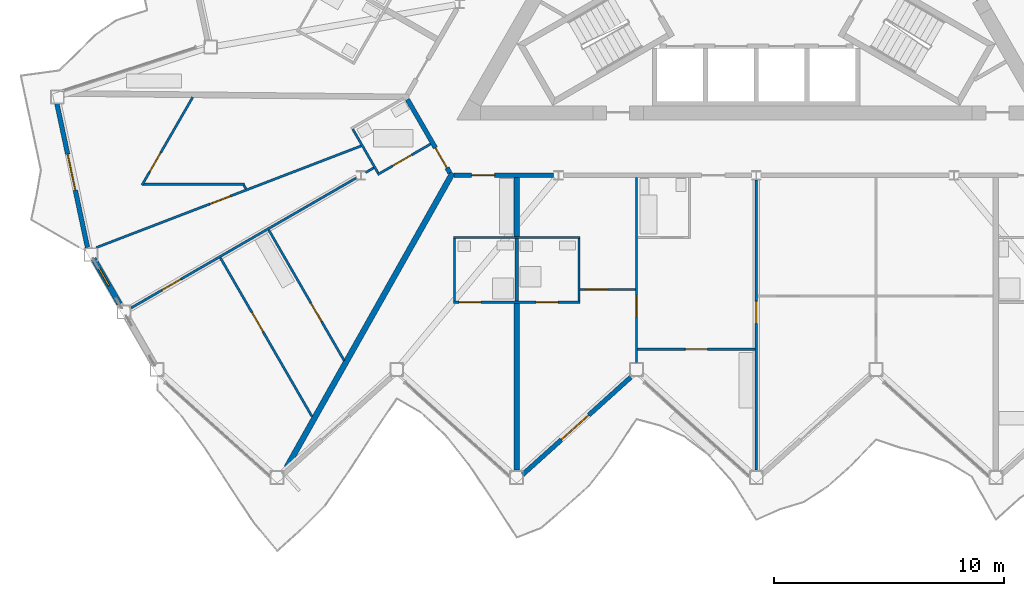
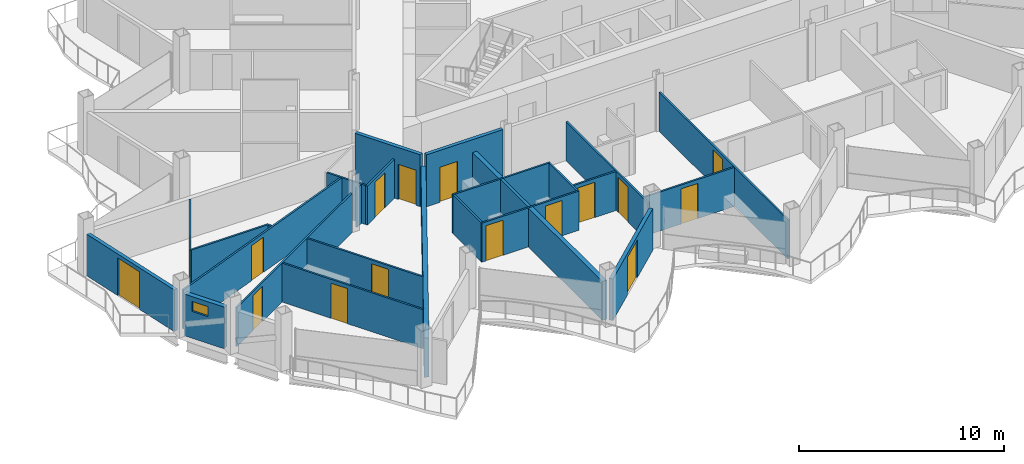
# One storey, part 13 of 27: 27 walls, 16 doors, 1 window, 17 openings.
"""IFC4 building model written with IfcOpenShell, lengths in metres."""

from ifc_helpers import new_model, si_unit, direction, frame, frame_2d, origin, place, context, subcontext, project, spatial, rectangle, extrude, material, layer, layer_set, type_object, element, fill, save


model = new_model("IFC4")

# Units and contexts
model_context = context("Model", 3, precision=1e-05, world=origin(), true_north=direction((0.0, 1.0)))
body_context = subcontext(model_context, "Body", "Model", "MODEL_VIEW")
ifc_project = project(units=[si_unit("LENGTHUNIT", "METRE"), si_unit("AREAUNIT", "SQUARE_METRE"), si_unit("VOLUMEUNIT", "CUBIC_METRE"), si_unit("PLANEANGLEUNIT", "RADIAN"), si_unit("MASSUNIT", "GRAM", prefix="KILO")], contexts=[model_context])

# Site, building, storey
site_placement = place(None, origin())
site = spatial("IfcSite", under=ifc_project, at=site_placement, CompositionType="ELEMENT")
building_placement = place(site_placement, origin())
building = spatial("IfcBuilding", under=site, at=building_placement, Name="Cormorant Prow Tower", CompositionType="ELEMENT")
storey_placement = place(building_placement, frame((0.0, 0.0, 335.800048828125)))
storey = spatial("IfcBuildingStorey", under=building, at=storey_placement, Name="L75", CompositionType="ELEMENT", Elevation=335.800048828125)

# Wall, opening, door
ifc_material_1 = material(Name="Gypsum board corridor wall")
ifc_layer_1 = layer(ifc_material_1, 0.199951171875)
ifc_layer_set_1 = layer_set([ifc_layer_1], Name="Gypsum board corridor wall")
wall_type_1 = type_object("IfcWallType", Name="Corridor wall 200", PredefinedType="PARTITIONING", material=ifc_layer_set_1)
wall_1_placement = place(storey_placement, frame((-13.10595703125, -9.905517578125, 0.0), z_axis=(0.0, 0.0, 1.0), x_axis=(1.0, 0.0, 0.0)))
wall_1 = element("IfcWall", 1, at=wall_1_placement, inside=storey, type_object=wall_type_1, Name="Corridor wall", PredefinedType="PARTITIONING", context=body_context, shape_type="SweptSolid", body=[
    extrude(rectangle(XDim=4.31982421875, YDim=0.199951171875, at=frame_2d((2.159912109375, 0.0))), origin(), (0.0, 0.0, 1.0), 3.099853515625),
])
opening_1_placement = place(wall_1_placement, frame((0.75341796875, 0.0, 0.0)))
opening_1 = element("IfcOpeningElement", 2, at=opening_1_placement, cuts=wall_1, Name="Opening L75-F01", PredefinedType="OPENING", context=body_context, shape_type="SweptSolid", body=[
    extrude(rectangle(XDim=1.0, YDim=2.10009765625, at=frame_2d((0.5, 1.050048828125))), frame((0.0, 0.10986328125, 0.0), z_axis=(0.0, -1.0, 0.0), x_axis=(1.0, 0.0, 0.0)), (0.0, 0.0, 1.0), 0.219970703125),
])
ifc_material_2 = material(Name="Timber door leaf", Category="wood")
door_type_1 = type_object("IfcDoorType", Name="Flat or room entrance door 1000x2100", OperationType="NOTDEFINED", PredefinedType="DOOR", material=ifc_material_2)
door_1_placement = place(opening_1_placement, origin())
door_1 = element("IfcDoor", 3, at=door_1_placement, inside=storey, type_object=door_type_1, Name="Studio living, kitchen and sleeping room door", OperationType="SINGLE_SWING_LEFT", OverallHeight=2.10009765625, OverallWidth=1.0, PredefinedType="DOOR", context=body_context, shape_type="SweptSolid", body=[
    extrude(rectangle(XDim=1.0, YDim=2.10009765625, at=frame_2d((0.5, 1.050048828125))), frame((0.0, 0.02490234375, 0.0), z_axis=(0.0, -1.0, 0.0), x_axis=(1.0, 0.0, 0.0)), (0.0, 0.0, 1.0), 0.050048828125),
])
fill(opening_1, door_1)

wall_2_placement = place(storey_placement, frame((-15.13134765625, -6.61376953125, 0.0), z_axis=(0.0, 0.0, 1.0), x_axis=(0.499967746641, -0.866044024469, 0.0)))
wall_2 = element("IfcWall", 4, at=wall_2_placement, inside=storey, type_object=wall_type_1, Name="Corridor wall", PredefinedType="PARTITIONING", context=body_context, shape_type="SweptSolid", body=[
    extrude(rectangle(XDim=3.676025390625, YDim=0.199951171875, at=frame_2d((1.837890625, 0.0))), origin(), (0.0, 0.0, 1.0), 3.099853515625),
])
opening_2_placement = place(wall_2_placement, frame((2.426025390625, 0.0, 0.0)))
opening_2 = element("IfcOpeningElement", 5, at=opening_2_placement, cuts=wall_2, Name="Opening L75-F58", PredefinedType="OPENING", context=body_context, shape_type="SweptSolid", body=[
    extrude(rectangle(XDim=1.0, YDim=2.10009765625, at=frame_2d((0.5, 1.050048828125))), frame((0.0, 0.10986328125, 0.0), z_axis=(0.0, -1.0, 0.0), x_axis=(1.0, 0.0, 0.0)), (0.0, 0.0, 1.0), 0.219970703125),
])
door_2_placement = place(opening_2_placement, origin())
door_2 = element("IfcDoor", 6, at=door_2_placement, inside=storey, type_object=door_type_1, Name="Living room door", OperationType="SINGLE_SWING_RIGHT", OverallHeight=2.10009765625, OverallWidth=1.0, PredefinedType="DOOR", context=body_context, shape_type="SweptSolid", body=[
    extrude(rectangle(XDim=1.0, YDim=2.10009765625, at=frame_2d((0.5, 1.050048828125))), frame((0.0, 0.02490234375, 0.0), z_axis=(0.0, -1.0, 0.0), x_axis=(1.0, 0.0, 0.0)), (0.0, 0.0, 1.0), 0.050048828125),
])
fill(opening_2, door_2)

ifc_material_3 = material(Name="Gypsum board partition")
ifc_layer_2 = layer(ifc_material_3, 0.10009765625)
ifc_layer_set_2 = layer_set([ifc_layer_2], Name="Gypsum board partition")
wall_type_2 = type_object("IfcWallType", Name="Internal partition 100", PredefinedType="PARTITIONING", material=ifc_layer_set_2)
wall_3_placement = place(storey_placement, frame((0.0, -22.697998046875, 0.0), z_axis=(0.0, 0.0, 1.0), x_axis=(0.0, 1.0, 0.0)))
wall_3 = element("IfcWall", 7, at=wall_3_placement, inside=storey, type_object=wall_type_2, Name="Internal partition", PredefinedType="PARTITIONING", context=body_context, shape_type="SweptSolid", body=[
    extrude(rectangle(XDim=12.584716796875, YDim=0.10009765625, at=frame_2d((6.29248046875, 0.0))), origin(), (0.0, 0.0, 1.0), 2.330078125),
])
opening_3_placement = place(wall_3_placement, frame((6.369140625, 0.0, 0.0)))
opening_3 = element("IfcOpeningElement", 8, at=opening_3_placement, cuts=wall_3, Name="Opening L75-F08", PredefinedType="OPENING", context=body_context, shape_type="SweptSolid", body=[
    extrude(rectangle(XDim=0.949951171875, YDim=2.10009765625, at=frame_2d((0.47509765625, 1.050048828125))), frame((0.0, 0.06005859375, 0.0), z_axis=(0.0, -1.0, 0.0), x_axis=(1.0, 0.0, 0.0)), (0.0, 0.0, 1.0), 0.1201171875),
])
ifc_material_4 = material(Name="Timber door leaf", Category="wood")
door_type_2 = type_object("IfcDoorType", Name="Bathroom door 950x2100", OperationType="NOTDEFINED", PredefinedType="DOOR", material=ifc_material_4)
door_3_placement = place(opening_3_placement, origin())
door_3 = element("IfcDoor", 9, at=door_3_placement, inside=storey, type_object=door_type_2, Name="Living room door", OperationType="SINGLE_SWING_RIGHT", OverallHeight=2.10009765625, OverallWidth=0.949951171875, PredefinedType="DOOR", context=body_context, shape_type="SweptSolid", body=[
    extrude(rectangle(XDim=0.949951171875, YDim=2.10009765625, at=frame_2d((0.47509765625, 1.050048828125))), frame((0.0, 0.02490234375, 0.0), z_axis=(0.0, -1.0, 0.0), x_axis=(1.0, 0.0, 0.0)), (0.0, 0.0, 1.0), 0.050048828125),
])
fill(opening_3, door_3)

wall_4_placement = place(storey_placement, frame((-28.630615234375, -13.039306640625, 0.0), z_axis=(0.0, 0.0, 1.0), x_axis=(0.933581130309, 0.358366116048, 0.0)))
wall_4 = element("IfcWall", 10, at=wall_4_placement, inside=storey, type_object=wall_type_2, Name="Internal partition", PredefinedType="PARTITIONING", context=body_context, shape_type="SweptSolid", body=[
    extrude(rectangle(XDim=12.3056640625, YDim=0.10009765625, at=frame_2d((6.15283203125, 0.0))), origin(), (0.0, 0.0, 1.0), 2.330078125),
])
opening_4_placement = place(wall_4_placement, frame((5.275634765625, 0.0, 0.0)))
opening_4 = element("IfcOpeningElement", 11, at=opening_4_placement, cuts=wall_4, Name="Opening L75-F63", PredefinedType="OPENING", context=body_context, shape_type="SweptSolid", body=[
    extrude(rectangle(XDim=0.949951171875, YDim=2.10009765625, at=frame_2d((0.47509765625, 1.050048828125))), frame((0.0, 0.06005859375, 0.0), z_axis=(0.0, -1.0, 0.0), x_axis=(1.0, 0.0, 0.0)), (0.0, 0.0, 1.0), 0.1201171875),
])
door_4_placement = place(opening_4_placement, origin())
door_4 = element("IfcDoor", 12, at=door_4_placement, inside=storey, type_object=door_type_2, Name="Bedroom door", OperationType="SINGLE_SWING_RIGHT", OverallHeight=2.10009765625, OverallWidth=0.949951171875, PredefinedType="DOOR", context=body_context, shape_type="SweptSolid", body=[
    extrude(rectangle(XDim=0.949951171875, YDim=2.10009765625, at=frame_2d((0.47509765625, 1.050048828125))), frame((0.0, 0.02490234375, 0.0), z_axis=(0.0, -1.0, 0.0), x_axis=(1.0, 0.0, 0.0)), (0.0, 0.0, 1.0), 0.050048828125),
])
fill(opening_4, door_4)

wall_5_placement = place(storey_placement, frame((-27.122314453125, -15.6591796875, 0.0), z_axis=(0.0, 0.0, 1.0), x_axis=(0.866021046153, 0.500007547564, 0.0)))
wall_5 = element("IfcWall", 13, at=wall_5_placement, inside=storey, type_object=wall_type_2, Name="Internal partition", PredefinedType="PARTITIONING", context=body_context, shape_type="SweptSolid", body=[
    extrude(rectangle(XDim=11.267333984375, YDim=0.10009765625, at=frame_2d((5.6337890625, 0.0))), origin(), (0.0, 0.0, 1.0), 2.330078125),
])
opening_5_placement = place(wall_5_placement, frame((1.55224609375, 0.0, 0.0)))
opening_5 = element("IfcOpeningElement", 14, at=opening_5_placement, cuts=wall_5, Name="Opening L75-F62", PredefinedType="OPENING", context=body_context, shape_type="SweptSolid", body=[
    extrude(rectangle(XDim=0.949951171875, YDim=2.10009765625, at=frame_2d((0.47509765625, 1.050048828125))), frame((0.0, 0.06005859375, 0.0), z_axis=(0.0, -1.0, 0.0), x_axis=(1.0, 0.0, 0.0)), (0.0, 0.0, 1.0), 0.1201171875),
])
door_5_placement = place(opening_5_placement, origin())
door_5 = element("IfcDoor", 15, at=door_5_placement, inside=storey, type_object=door_type_2, Name="Dining room door", OperationType="SINGLE_SWING_LEFT", OverallHeight=2.10009765625, OverallWidth=0.949951171875, PredefinedType="DOOR", context=body_context, shape_type="SweptSolid", body=[
    extrude(rectangle(XDim=0.949951171875, YDim=2.10009765625, at=frame_2d((0.47509765625, 1.050048828125))), frame((0.0, 0.02490234375, 0.0), z_axis=(0.0, -1.0, 0.0), x_axis=(1.0, 0.0, 0.0)), (0.0, 0.0, 1.0), 0.050048828125),
])
fill(opening_5, door_5)

wall_6_placement = place(storey_placement, frame((-5.1962890625, -18.016845703125, 0.0), z_axis=(0.0, 0.0, 1.0), x_axis=(0.0, 1.0, 0.0)))
wall_6 = element("IfcWall", 16, at=wall_6_placement, inside=storey, type_object=wall_type_2, Name="Internal partition", PredefinedType="PARTITIONING", context=body_context, shape_type="SweptSolid", body=[
    extrude(rectangle(XDim=8.01123046875, YDim=0.10009765625, at=frame_2d((4.005615234375, 0.0))), origin(), (0.0, 0.0, 1.0), 2.330078125),
])
opening_6_placement = place(wall_6_placement, frame((1.966064453125, 0.0, 0.0)))
opening_6 = element("IfcOpeningElement", 17, at=opening_6_placement, cuts=wall_6, Name="Opening L75-F06", PredefinedType="OPENING", context=body_context, shape_type="SweptSolid", body=[
    extrude(rectangle(XDim=0.949951171875, YDim=2.10009765625, at=frame_2d((0.47509765625, 1.050048828125))), frame((0.0, 0.06005859375, 0.0), z_axis=(0.0, -1.0, 0.0), x_axis=(1.0, 0.0, 0.0)), (0.0, 0.0, 1.0), 0.1201171875),
])
door_6_placement = place(opening_6_placement, origin())
door_6 = element("IfcDoor", 18, at=door_6_placement, inside=storey, type_object=door_type_2, Name="Living room door", OperationType="SINGLE_SWING_RIGHT", OverallHeight=2.10009765625, OverallWidth=0.949951171875, PredefinedType="DOOR", context=body_context, shape_type="SweptSolid", body=[
    extrude(rectangle(XDim=0.949951171875, YDim=2.10009765625, at=frame_2d((0.47509765625, 1.050048828125))), frame((0.0, 0.02490234375, 0.0), z_axis=(0.0, -1.0, 0.0), x_axis=(1.0, 0.0, 0.0)), (0.0, 0.0, 1.0), 0.050048828125),
])
fill(opening_6, door_6)

wall_7_placement = place(storey_placement, frame((-23.2509765625, -13.481689453125, 0.0), z_axis=(0.0, 0.0, 1.0), x_axis=(0.500017325895, -0.866015400443, 0.0)))
wall_7 = element("IfcWall", 19, at=wall_7_placement, inside=storey, type_object=wall_type_2, Name="Internal partition", PredefinedType="PARTITIONING", context=body_context, shape_type="SweptSolid", body=[
    extrude(rectangle(XDim=7.955322265625, YDim=0.10009765625, at=frame_2d((3.9775390625, 0.0))), origin(), (0.0, 0.0, 1.0), 2.330078125),
])
opening_7_placement = place(wall_7_placement, frame((2.751953125, 0.0, 0.0)))
opening_7 = element("IfcOpeningElement", 20, at=opening_7_placement, cuts=wall_7, Name="Opening L75-F61", PredefinedType="OPENING", context=body_context, shape_type="SweptSolid", body=[
    extrude(rectangle(XDim=0.949951171875, YDim=2.10009765625, at=frame_2d((0.47509765625, 1.050048828125))), frame((0.0, 0.06005859375, 0.0), z_axis=(0.0, -1.0, 0.0), x_axis=(1.0, 0.0, 0.0)), (0.0, 0.0, 1.0), 0.1201171875),
])
door_7_placement = place(opening_7_placement, origin())
door_7 = element("IfcDoor", 21, at=door_7_placement, inside=storey, type_object=door_type_2, Name="Kitchen door", OperationType="SINGLE_SWING_LEFT", OverallHeight=2.10009765625, OverallWidth=0.949951171875, PredefinedType="DOOR", context=body_context, shape_type="SweptSolid", body=[
    extrude(rectangle(XDim=0.949951171875, YDim=2.10009765625, at=frame_2d((0.47509765625, 1.050048828125))), frame((0.0, 0.02490234375, 0.0), z_axis=(0.0, -1.0, 0.0), x_axis=(1.0, 0.0, 0.0)), (0.0, 0.0, 1.0), 0.050048828125),
])
fill(opening_7, door_7)

wall_8_placement = place(storey_placement, frame((-21.153564453125, -12.270751953125, 0.0), z_axis=(0.0, 0.0, 1.0), x_axis=(0.500011451804, -0.866018791981, 0.0)))
wall_8 = element("IfcWall", 22, at=wall_8_placement, inside=storey, type_object=wall_type_2, Name="Internal partition", PredefinedType="PARTITIONING", context=body_context, shape_type="SweptSolid", body=[
    extrude(rectangle(XDim=6.556884765625, YDim=0.10009765625, at=frame_2d((3.2783203125, 0.0))), origin(), (0.0, 0.0, 1.0), 2.330078125),
])
opening_8_placement = place(wall_8_placement, frame((3.65478515625, 0.0, 0.0)))
opening_8 = element("IfcOpeningElement", 23, at=opening_8_placement, cuts=wall_8, Name="Opening L75-F60", PredefinedType="OPENING", context=body_context, shape_type="SweptSolid", body=[
    extrude(rectangle(XDim=0.949951171875, YDim=2.10009765625, at=frame_2d((0.47509765625, 1.050048828125))), frame((0.0, 0.06005859375, 0.0), z_axis=(0.0, -1.0, 0.0), x_axis=(1.0, 0.0, 0.0)), (0.0, 0.0, 1.0), 0.1201171875),
])
door_8_placement = place(opening_8_placement, origin())
door_8 = element("IfcDoor", 24, at=door_8_placement, inside=storey, type_object=door_type_2, Name="Living room door", OperationType="SINGLE_SWING_LEFT", OverallHeight=2.10009765625, OverallWidth=0.949951171875, PredefinedType="DOOR", context=body_context, shape_type="SweptSolid", body=[
    extrude(rectangle(XDim=0.949951171875, YDim=2.10009765625, at=frame_2d((0.47509765625, 1.050048828125))), frame((0.0, 0.02490234375, 0.0), z_axis=(0.0, -1.0, 0.0), x_axis=(1.0, 0.0, 0.0)), (0.0, 0.0, 1.0), 0.050048828125),
])
fill(opening_8, door_8)

# Wall
wall_9_placement = place(storey_placement, frame((-13.142578125, -12.605712890625, 0.0), z_axis=(0.0, 0.0, 1.0), x_axis=(1.0, 0.0, 0.0)))
element("IfcWall", 25, at=wall_9_placement, inside=storey, type_object=wall_type_2, Name="Internal partition", PredefinedType="PARTITIONING", context=body_context, shape_type="SweptSolid", body=[
    extrude(rectangle(XDim=5.5, YDim=0.10009765625, at=frame_2d((2.75, 0.0))), origin(), (0.0, 0.0, 1.0), 2.330078125),
])

# Wall, openings, doors
wall_10_placement = place(storey_placement, frame((-13.142578125, -15.405517578125, 0.0), z_axis=(0.0, 0.0, 1.0), x_axis=(1.0, 0.0, 0.0)))
wall_10 = element("IfcWall", 26, at=wall_10_placement, inside=storey, type_object=wall_type_2, Name="Internal partition", PredefinedType="PARTITIONING", context=body_context, shape_type="SweptSolid", body=[
    extrude(rectangle(XDim=5.5, YDim=0.10009765625, at=frame_2d((2.75, 0.0))), origin(), (0.0, 0.0, 1.0), 2.330078125),
])
opening_9_placement = place(wall_10_placement, frame((0.25, 0.0, 0.0)))
opening_9 = element("IfcOpeningElement", 27, at=opening_9_placement, cuts=wall_10, Name="Opening L75-F02", PredefinedType="OPENING", context=body_context, shape_type="SweptSolid", body=[
    extrude(rectangle(XDim=0.949951171875, YDim=2.10009765625, at=frame_2d((0.47509765625, 1.050048828125))), frame((0.0, 0.06005859375, 0.0), z_axis=(0.0, -1.0, 0.0), x_axis=(1.0, 0.0, 0.0)), (0.0, 0.0, 1.0), 0.1201171875),
])
opening_10_placement = place(wall_10_placement, frame((3.59130859375, 0.0, 0.0)))
opening_10 = element("IfcOpeningElement", 28, at=opening_10_placement, cuts=wall_10, Name="Opening L75-F12", PredefinedType="OPENING", context=body_context, shape_type="SweptSolid", body=[
    extrude(rectangle(XDim=0.949951171875, YDim=2.10009765625, at=frame_2d((0.47509765625, 1.050048828125))), frame((0.0, 0.06005859375, 0.0), z_axis=(0.0, -1.0, 0.0), x_axis=(1.0, 0.0, 0.0)), (0.0, 0.0, 1.0), 0.1201171875),
])
door_9_placement = place(opening_9_placement, origin())
door_9 = element("IfcDoor", 29, at=door_9_placement, inside=storey, type_object=door_type_2, Name="Studio living, kitchen and sleeping room door", OperationType="SINGLE_SWING_LEFT", OverallHeight=2.10009765625, OverallWidth=0.949951171875, PredefinedType="DOOR", context=body_context, shape_type="SweptSolid", body=[
    extrude(rectangle(XDim=0.949951171875, YDim=2.10009765625, at=frame_2d((0.47509765625, 1.050048828125))), frame((0.0, 0.02490234375, 0.0), z_axis=(0.0, -1.0, 0.0), x_axis=(1.0, 0.0, 0.0)), (0.0, 0.0, 1.0), 0.050048828125),
])
fill(opening_9, door_9)
door_10_placement = place(opening_10_placement, origin())
door_10 = element("IfcDoor", 30, at=door_10_placement, inside=storey, type_object=door_type_2, Name="Bedroom door", OperationType="SINGLE_SWING_LEFT", OverallHeight=2.10009765625, OverallWidth=0.949951171875, PredefinedType="DOOR", context=body_context, shape_type="SweptSolid", body=[
    extrude(rectangle(XDim=0.949951171875, YDim=2.10009765625, at=frame_2d((0.47509765625, 1.050048828125))), frame((0.0, 0.02490234375, 0.0), z_axis=(0.0, -1.0, 0.0), x_axis=(1.0, 0.0, 0.0)), (0.0, 0.0, 1.0), 0.050048828125),
])
fill(opening_10, door_10)

# Wall, opening, door
wall_11_placement = place(storey_placement, frame((-5.146240234375, -17.453125, 0.0), z_axis=(0.0, 0.0, 1.0), x_axis=(1.0, 0.0, 0.0)))
wall_11 = element("IfcWall", 31, at=wall_11_placement, inside=storey, type_object=wall_type_2, Name="Internal partition", PredefinedType="PARTITIONING", context=body_context, shape_type="SweptSolid", body=[
    extrude(rectangle(XDim=5.09619140625, YDim=0.10009765625, at=frame_2d((2.548095703125, 0.0))), origin(), (0.0, 0.0, 1.0), 2.330078125),
])
opening_11_placement = place(wall_11_placement, frame((2.0732421875, 0.0, 0.0)))
opening_11 = element("IfcOpeningElement", 32, at=opening_11_placement, cuts=wall_11, Name="Opening L75-F05", PredefinedType="OPENING", context=body_context, shape_type="SweptSolid", body=[
    extrude(rectangle(XDim=0.949951171875, YDim=2.10009765625, at=frame_2d((0.47509765625, 1.050048828125))), frame((0.0, 0.06005859375, 0.0), z_axis=(0.0, -1.0, 0.0), x_axis=(1.0, 0.0, 0.0)), (0.0, 0.0, 1.0), 0.1201171875),
])
door_11_placement = place(opening_11_placement, origin())
door_11 = element("IfcDoor", 33, at=door_11_placement, inside=storey, type_object=door_type_2, Name="Living room door", OperationType="SINGLE_SWING_LEFT", OverallHeight=2.10009765625, OverallWidth=0.949951171875, PredefinedType="DOOR", context=body_context, shape_type="SweptSolid", body=[
    extrude(rectangle(XDim=0.949951171875, YDim=2.10009765625, at=frame_2d((0.47509765625, 1.050048828125))), frame((0.0, 0.02490234375, 0.0), z_axis=(0.0, -1.0, 0.0), x_axis=(1.0, 0.0, 0.0)), (0.0, 0.0, 1.0), 0.050048828125),
])
fill(opening_11, door_11)

wall_12_placement = place(storey_placement, frame((-26.650146484375, -10.330810546875, 0.0), z_axis=(0.0, 0.0, 1.0), x_axis=(0.499992938033, 0.866029480975, 0.0)))
wall_12 = element("IfcWall", 34, at=wall_12_placement, inside=storey, type_object=wall_type_2, Name="Internal partition", PredefinedType="PARTITIONING", context=body_context, shape_type="SweptSolid", body=[
    extrude(rectangle(XDim=4.4013671875, YDim=0.10009765625, at=frame_2d((2.20068359375, 0.0))), origin(), (0.0, 0.0, 1.0), 2.330078125),
])
opening_12_placement = place(wall_12_placement, frame((0.656982421875, 0.0, 0.0)))
opening_12 = element("IfcOpeningElement", 35, at=opening_12_placement, cuts=wall_12, Name="Opening L75-F64", PredefinedType="OPENING", context=body_context, shape_type="SweptSolid", body=[
    extrude(rectangle(XDim=0.949951171875, YDim=2.10009765625, at=frame_2d((0.47509765625, 1.050048828125))), frame((0.0, 0.06005859375, 0.0), z_axis=(0.0, -1.0, 0.0), x_axis=(1.0, 0.0, 0.0)), (0.0, 0.0, 1.0), 0.1201171875),
])
door_12_placement = place(opening_12_placement, origin())
door_12 = element("IfcDoor", 36, at=door_12_placement, inside=storey, type_object=door_type_2, Name="Bedroom door", OperationType="SINGLE_SWING_LEFT", OverallHeight=2.10009765625, OverallWidth=0.949951171875, PredefinedType="DOOR", context=body_context, shape_type="SweptSolid", body=[
    extrude(rectangle(XDim=0.949951171875, YDim=2.10009765625, at=frame_2d((0.47509765625, 1.050048828125))), frame((0.0, 0.02490234375, 0.0), z_axis=(0.0, -1.0, 0.0), x_axis=(1.0, 0.0, 0.0)), (0.0, 0.0, 1.0), 0.050048828125),
])
fill(opening_12, door_12)

# Walls
wall_13_placement = place(storey_placement, frame((-26.5751953125, -10.287353515625, 0.0), z_axis=(0.0, 0.0, 1.0), x_axis=(1.0, 0.0, 0.0)))
element("IfcWall", 37, at=wall_13_placement, inside=storey, type_object=wall_type_2, Name="Internal partition", PredefinedType="PARTITIONING", context=body_context, shape_type="SweptSolid", body=[
    extrude(rectangle(XDim=4.366943359375, YDim=0.10009765625, at=frame_2d((2.18359375, 0.0))), origin(), (0.0, 0.0, 1.0), 2.330078125),
])
for number, where, z_axis, x_axis, name in (
    (38, (-13.092529296875, -15.355712890625, 0.0), (0.0, 0.0, 1.0), (0.0, 1.0, 0.0), "Internal partition"),
    (39, (-7.6923828125, -15.355712890625, 0.0), (0.0, 0.0, 1.0), (0.0, 1.0, 0.0), "Internal partition"),
):
    element("IfcWall", number, at=place(storey_placement, frame(where, z_axis=z_axis, x_axis=x_axis)), inside=storey, type_object=wall_type_2, Name=name, PredefinedType="PARTITIONING", context=body_context, shape_type="SweptSolid", body=[
        extrude(rectangle(XDim=2.7001953125, YDim=0.10009765625, at=frame_2d((1.35009765625, 0.0))), origin(), (0.0, 0.0, 1.0), 2.330078125),
    ])

# Wall, opening, door
wall_14_placement = place(storey_placement, frame((-16.425537109375, -9.872314453125, 0.0), z_axis=(0.0, 0.0, 1.0), x_axis=(0.866029095148, 0.499993606316, 0.0)))
wall_14 = element("IfcWall", 40, at=wall_14_placement, inside=storey, type_object=wall_type_2, Name="Internal partition", PredefinedType="PARTITIONING", context=body_context, shape_type="SweptSolid", body=[
    extrude(rectangle(XDim=2.64990234375, YDim=0.10009765625, at=frame_2d((1.324951171875, 0.0))), origin(), (0.0, 0.0, 1.0), 2.330078125),
])
opening_13_placement = place(wall_14_placement, frame((0.75, 0.0, 0.0)))
opening_13 = element("IfcOpeningElement", 41, at=opening_13_placement, cuts=wall_14, Name="Opening L75-F59", PredefinedType="OPENING", context=body_context, shape_type="SweptSolid", body=[
    extrude(rectangle(XDim=0.949951171875, YDim=2.10009765625, at=frame_2d((0.47509765625, 1.050048828125))), frame((0.0, 0.06005859375, 0.0), z_axis=(0.0, -1.0, 0.0), x_axis=(1.0, 0.0, 0.0)), (0.0, 0.0, 1.0), 0.1201171875),
])
door_13_placement = place(opening_13_placement, origin())
door_13 = element("IfcDoor", 42, at=door_13_placement, inside=storey, type_object=door_type_2, Name="Living room door", OperationType="SINGLE_SWING_LEFT", OverallHeight=2.10009765625, OverallWidth=0.949951171875, PredefinedType="DOOR", context=body_context, shape_type="SweptSolid", body=[
    extrude(rectangle(XDim=0.949951171875, YDim=2.10009765625, at=frame_2d((0.47509765625, 1.050048828125))), frame((0.0, 0.02490234375, 0.0), z_axis=(0.0, -1.0, 0.0), x_axis=(1.0, 0.0, 0.0)), (0.0, 0.0, 1.0), 0.050048828125),
])
fill(opening_13, door_13)

wall_15_placement = place(storey_placement, frame((-7.642578125, -14.860595703125, 0.0), z_axis=(0.0, 0.0, 1.0), x_axis=(1.0, 0.0, 0.0)))
wall_15 = element("IfcWall", 43, at=wall_15_placement, inside=storey, type_object=wall_type_2, Name="Internal partition", PredefinedType="PARTITIONING", context=body_context, shape_type="SweptSolid", body=[
    extrude(rectangle(XDim=2.396240234375, YDim=0.10009765625, at=frame_2d((1.1982421875, 0.0))), origin(), (0.0, 0.0, 1.0), 2.330078125),
])
opening_14_placement = place(wall_15_placement, frame((0.25, 0.0, 0.0)))
opening_14 = element("IfcOpeningElement", 44, at=opening_14_placement, cuts=wall_15, Name="Opening L75-F07", PredefinedType="OPENING", context=body_context, shape_type="SweptSolid", body=[
    extrude(rectangle(XDim=0.949951171875, YDim=2.10009765625, at=frame_2d((0.47509765625, 1.050048828125))), frame((0.0, 0.06005859375, 0.0), z_axis=(0.0, -1.0, 0.0), x_axis=(1.0, 0.0, 0.0)), (0.0, 0.0, 1.0), 0.1201171875),
])
door_14_placement = place(opening_14_placement, origin())
door_14 = element("IfcDoor", 45, at=door_14_placement, inside=storey, type_object=door_type_2, Name="Bedroom door", OperationType="SINGLE_SWING_LEFT", OverallHeight=2.10009765625, OverallWidth=0.949951171875, PredefinedType="DOOR", context=body_context, shape_type="SweptSolid", body=[
    extrude(rectangle(XDim=0.949951171875, YDim=2.10009765625, at=frame_2d((0.47509765625, 1.050048828125))), frame((0.0, 0.02490234375, 0.0), z_axis=(0.0, -1.0, 0.0), x_axis=(1.0, 0.0, 0.0)), (0.0, 0.0, 1.0), 0.050048828125),
])
fill(opening_14, door_14)

# Walls
wall_16_placement = place(storey_placement, frame((-17.507080078125, -7.898681640625, 0.0), z_axis=(0.0, 0.0, 1.0), x_axis=(0.499946605688, -0.86605622881, 0.0)))
element("IfcWall", 46, at=wall_16_placement, inside=storey, type_object=wall_type_2, Name="Internal partition", PredefinedType="PARTITIONING", context=body_context, shape_type="SweptSolid", body=[
    extrude(rectangle(XDim=2.199951171875, YDim=0.10009765625, at=frame_2d((1.10009765625, 0.0))), origin(), (0.0, 0.0, 1.0), 2.330078125),
])
wall_17_placement = place(storey_placement, frame((-16.94921875, -9.78564453125, 0.0), z_axis=(0.0, 0.0, 1.0), x_axis=(0.866036909293, 0.499980071345, 0.0)))
element("IfcWall", 47, at=wall_17_placement, inside=storey, type_object=wall_type_2, Name="Internal partition", PredefinedType="PARTITIONING", context=body_context, shape_type="SweptSolid", body=[
    extrude(rectangle(XDim=0.41015625, YDim=0.10009765625, at=frame_2d((0.205078125, 0.0))), origin(), (0.0, 0.0, 1.0), 2.330078125),
])
wall_18_placement = place(storey_placement, frame((-22.233154296875, -10.330810546875, 0.0), z_axis=(0.0, 0.0, 1.0), x_axis=(0.500169931485, -0.865927271564, 0.0)))
element("IfcWall", 48, at=wall_18_placement, inside=storey, type_object=wall_type_2, Name="Internal partition", PredefinedType="PARTITIONING", context=body_context, shape_type="SweptSolid", body=[
    extrude(rectangle(XDim=0.18896484375, YDim=0.10009765625, at=frame_2d((0.094482421875, 0.0))), origin(), (0.0, 0.0, 1.0), 2.330078125),
])
ifc_material_5 = material(Name="Acoustic gypsum party wall")
ifc_layer_3 = layer(ifc_material_5, 0.25)
ifc_layer_set_3 = layer_set([ifc_layer_3], Name="Acoustic gypsum party wall")
wall_type_3 = type_object("IfcWallType", Name="Suite party wall 250", PredefinedType="PARTITIONING", material=ifc_layer_set_3)
wall_19_placement = place(storey_placement, frame((-20.37646484375, -22.581787109375, 0.0), z_axis=(0.0, 0.0, 1.0), x_axis=(0.491057132664, 0.871127368678, 0.0)))
element("IfcWall", 49, at=wall_19_placement, inside=storey, type_object=wall_type_3, Name="Suite party wall", PredefinedType="PARTITIONING", context=body_context, shape_type="SweptSolid", body=[
    extrude(rectangle(XDim=14.676513671875, YDim=0.25, at=frame_2d((7.33837890625, 0.0))), origin(), (0.0, 0.0, 1.0), 2.330078125),
])
wall_20_placement = place(storey_placement, frame((-10.392578125, -22.697998046875, 0.0), z_axis=(0.0, 0.0, 1.0), x_axis=(0.0, 1.0, 0.0)))
element("IfcWall", 50, at=wall_20_placement, inside=storey, type_object=wall_type_3, Name="Suite party wall", PredefinedType="PARTITIONING", context=body_context, shape_type="SweptSolid", body=[
    extrude(rectangle(XDim=7.242431640625, YDim=0.25, at=frame_2d((3.62109375, 0.0))), origin(), (0.0, 0.0, 1.0), 2.330078125),
])
wall_21_placement = place(storey_placement, frame((-10.392578125, -12.5556640625, 0.0), z_axis=(0.0, 0.0, 1.0), x_axis=(0.0, 1.0, 0.0)))
element("IfcWall", 51, at=wall_21_placement, inside=storey, type_object=wall_type_3, Name="Suite party wall", PredefinedType="PARTITIONING", context=body_context, shape_type="SweptSolid", body=[
    extrude(rectangle(XDim=2.550048828125, YDim=0.25, at=frame_2d((1.27490234375, 0.0))), origin(), (0.0, 0.0, 1.0), 2.330078125),
])

# Wall, opening, window
ifc_material_6 = material(Name="Terracotta", Category="masonry")
ifc_layer_4 = layer(ifc_material_6, 0.25)
ifc_layer_set_4 = layer_set([ifc_layer_4], Name="Terracotta")
wall_type_4 = type_object("IfcWallType", Name="Terracotta bay wall 250", PredefinedType="SOLIDWALL", material=ifc_layer_set_4)
wall_22_placement = place(storey_placement, frame((-28.754150390625, -13.52490234375, 0.0), z_axis=(0.0, 0.0, 1.0), x_axis=(0.49996174997, -0.866047486323, 0.0)))
wall_22 = element("IfcWall", 52, at=wall_22_placement, inside=storey, type_object=wall_type_4, Name="Terracotta bay wall WSW00", PredefinedType="SOLIDWALL", context=body_context, shape_type="SweptSolid", body=[
    extrude(rectangle(XDim=2.266845703125, YDim=0.25, at=frame_2d((1.13330078125, 0.0))), origin(), (0.0, 0.0, 1.0), 2.48779296875),
])
opening_15_placement = place(wall_22_placement, frame((0.449951171875, 0.0, 1.60009765625)))
opening_15 = element("IfcOpeningElement", 53, at=opening_15_placement, cuts=wall_22, Name="Opening WN7", PredefinedType="OPENING", context=body_context, shape_type="SweptSolid", body=[
    extrude(rectangle(XDim=0.89990234375, YDim=0.60009765625, at=frame_2d((0.449951171875, 0.300048828125))), frame((0.0, 0.135009765625, 0.0), z_axis=(0.0, -1.0, 0.0), x_axis=(1.0, 0.0, 0.0)), (0.0, 0.0, 1.0), 0.27001953125),
])
ifc_material_7 = material(Name="Aluminium 6063-T6", Category="aluminium")
window_type = type_object("IfcWindowType", Name="Corner bay window 900x600", PartitioningType="SINGLE_PANEL", PredefinedType="WINDOW", material=ifc_material_7)
window_placement = place(opening_15_placement, origin())
window = element("IfcWindow", 54, at=window_placement, inside=storey, type_object=window_type, Name="Corner bay window WSW00", OverallHeight=0.60009765625, OverallWidth=0.89990234375, PartitioningType="SINGLE_PANEL", PredefinedType="WINDOW", context=body_context, shape_type="SweptSolid", body=[
    extrude(rectangle(XDim=0.89990234375, YDim=0.60009765625, at=frame_2d((0.449951171875, 0.300048828125))), frame((0.0, 0.030029296875, 0.0), z_axis=(0.0, -1.0, 0.0), x_axis=(1.0, 0.0, 0.0)), (0.0, 0.0, 1.0), 0.06005859375),
])
fill(opening_15, window)

# Wall, opening, door
ifc_material_8 = material(Name="Terracotta", Category="masonry")
ifc_layer_5 = layer(ifc_material_8, 0.199951171875)
ifc_layer_set_5 = layer_set([ifc_layer_5], Name="Terracotta")
wall_type_5 = type_object("IfcWallType", Name="Terracotta jamb wall 200", PredefinedType="SOLIDWALL", material=ifc_layer_set_5)
wall_23_placement = place(storey_placement, frame((-10.136962890625, -22.891845703125, 0.0), z_axis=(0.0, 0.0, 1.0), x_axis=(0.743147981531, 0.669127101189, 0.0)))
wall_23 = element("IfcWall", 55, at=wall_23_placement, inside=storey, type_object=wall_type_5, Name="Terracotta jamb wall S03", PredefinedType="SOLIDWALL", context=body_context, shape_type="SweptSolid", body=[
    extrude(rectangle(XDim=6.31298828125, YDim=0.199951171875, at=frame_2d((3.156494140625, 0.0))), origin(), (0.0, 0.0, 1.0), 2.48779296875),
])
opening_16_placement = place(wall_23_placement, frame((2.26220703125, 0.0, 0.0)))
opening_16 = element("IfcOpeningElement", 56, at=opening_16_placement, cuts=wall_23, Name="Opening ED75.02", PredefinedType="OPENING", context=body_context, shape_type="SweptSolid", body=[
    extrude(rectangle(XDim=1.60009765625, YDim=2.25, at=frame_2d((0.800048828125, 1.125))), frame((0.0, 0.10986328125, 0.0), z_axis=(0.0, -1.0, 0.0), x_axis=(1.0, 0.0, 0.0)), (0.0, 0.0, 1.0), 0.219970703125),
])
ifc_material_9 = material(Name="Aluminium 6063-T6", Category="aluminium")
door_type_3 = type_object("IfcDoorType", Name="Balcony door 1600x2250", OperationType="DOUBLE_DOOR_SINGLE_SWING", PredefinedType="DOOR", material=ifc_material_9)
door_15_placement = place(opening_16_placement, origin())
door_15 = element("IfcDoor", 57, at=door_15_placement, inside=storey, type_object=door_type_3, Name="Balcony door S03 ED75.02", OperationType="DOUBLE_DOOR_SINGLE_SWING", OverallHeight=2.25, OverallWidth=1.60009765625, PredefinedType="DOOR", context=body_context, shape_type="SweptSolid", body=[
    extrude(rectangle(XDim=1.60009765625, YDim=2.25, at=frame_2d((0.800048828125, 1.125))), frame((0.0, 0.02490234375, 0.0), z_axis=(0.0, -1.0, 0.0), x_axis=(1.0, 0.0, 0.0)), (0.0, 0.0, 1.0), 0.050048828125),
])
fill(opening_16, door_15)

wall_24_placement = place(storey_placement, frame((-30.34521484375, -6.77587890625, 0.0), z_axis=(0.0, 0.0, 1.0), x_axis=(0.207897099812, -0.978150702034, 0.0)))
wall_24 = element("IfcWall", 58, at=wall_24_placement, inside=storey, type_object=wall_type_5, Name="Terracotta jamb wall WNW09", PredefinedType="SOLIDWALL", context=body_context, shape_type="SweptSolid", body=[
    extrude(rectangle(XDim=6.396484375, YDim=0.199951171875, at=frame_2d((3.1982421875, 0.0))), origin(), (0.0, 0.0, 1.0), 2.48779296875),
])
opening_17_placement = place(wall_24_placement, frame((2.26220703125, 0.0, 0.0)))
opening_17 = element("IfcOpeningElement", 59, at=opening_17_placement, cuts=wall_24, Name="Opening ED75.15", PredefinedType="OPENING", context=body_context, shape_type="SweptSolid", body=[
    extrude(rectangle(XDim=1.60009765625, YDim=2.25, at=frame_2d((0.800048828125, 1.125))), frame((0.0, 0.10986328125, 0.0), z_axis=(0.0, -1.0, 0.0), x_axis=(1.0, 0.0, 0.0)), (0.0, 0.0, 1.0), 0.219970703125),
])
door_16_placement = place(opening_17_placement, origin())
door_16 = element("IfcDoor", 60, at=door_16_placement, inside=storey, type_object=door_type_3, Name="Balcony door WNW09 ED75.15", OperationType="DOUBLE_DOOR_SINGLE_SWING", OverallHeight=2.25, OverallWidth=1.60009765625, PredefinedType="DOOR", context=body_context, shape_type="SweptSolid", body=[
    extrude(rectangle(XDim=1.60009765625, YDim=2.25, at=frame_2d((0.800048828125, 1.125))), frame((0.0, 0.02490234375, 0.0), z_axis=(0.0, -1.0, 0.0), x_axis=(1.0, 0.0, 0.0)), (0.0, 0.0, 1.0), 0.050048828125),
])
fill(opening_17, door_16)

# Wall
ifc_material_10 = material(Name="Plasterboard wet wall with pipe chase")
ifc_layer_6 = layer(ifc_material_10, 0.14990234375)
ifc_layer_set_6 = layer_set([ifc_layer_6], Name="Plasterboard wet wall with pipe chase")
wall_type_6 = type_object("IfcWallType", Name="Wet wall 150", PredefinedType="PLUMBINGWALL", material=ifc_layer_set_6)
wall_25_placement = place(storey_placement, frame((-10.392578125, -15.355712890625, 0.0), z_axis=(0.0, 0.0, 1.0), x_axis=(0.0, 1.0, 0.0)))
element("IfcWall", 61, at=wall_25_placement, inside=storey, type_object=wall_type_6, Name="Wet wall", PredefinedType="PLUMBINGWALL", context=body_context, shape_type="SweptSolid", body=[
    extrude(rectangle(XDim=2.7001953125, YDim=0.14990234375, at=frame_2d((1.35009765625, 0.0))), origin(), (0.0, 0.0, 1.0), 2.330078125),
])

save(model, "model.ifc")
